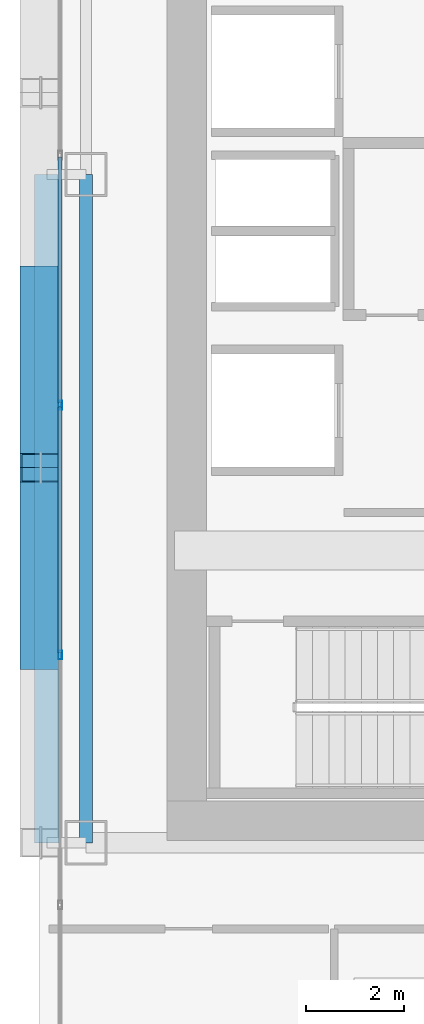
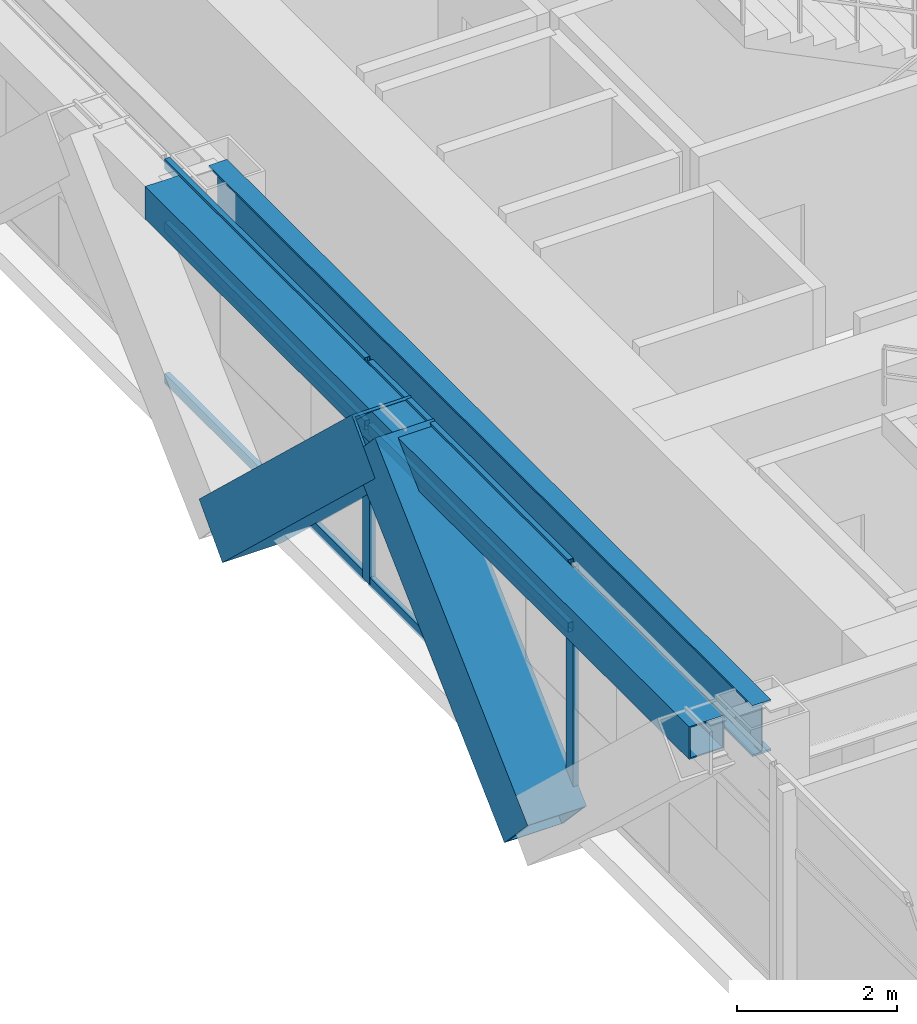
# One storey, part 6 of 38: 10 members, 2 beams, 1 element without a shape of its own.
"""IFC4 building model written with IfcOpenShell, lengths in metres."""

from ifc_helpers import new_model, si_unit, direction, frame, origin, origin_2d, place, context, subcontext, project, spatial, hollow_rectangle, i_section, extrude, source, transform, mapped, material, layer, layer_set, material_profile, profile_set, type_object, element, aggregate, save


model = new_model("IFC4")

# Units and contexts
model_context = context("Model", 3, precision=1e-05, world=origin(), true_north=direction((0.0, 1.0)))
body_context = subcontext(model_context, "Body", "Model", "MODEL_VIEW")
ifc_project = project(units=[si_unit("LENGTHUNIT", "METRE"), si_unit("AREAUNIT", "SQUARE_METRE"), si_unit("VOLUMEUNIT", "CUBIC_METRE"), si_unit("PLANEANGLEUNIT", "RADIAN"), si_unit("MASSUNIT", "GRAM", prefix="KILO")], contexts=[model_context])

# Site, building, storey
site_placement = place(None, origin())
site = spatial("IfcSite", under=ifc_project, at=site_placement, CompositionType="ELEMENT")
building_placement = place(site_placement, origin())
building = spatial("IfcBuilding", under=site, at=building_placement, Name="Ocotamira Hotel", CompositionType="ELEMENT")
storey_placement = place(building_placement, frame((0.0, 0.0, 45.60009765625)))
storey = spatial("IfcBuildingStorey", under=building, at=storey_placement, Name="L10", CompositionType="ELEMENT", Elevation=45.60009765625)

# Beams
ifc_material_1 = material(Name="Steel ASTM A992 Grade 50", Category="steel")
ifc_material_profile_1 = material_profile(ifc_material_1, i_section(OverallWidth=0.26611328125, OverallDepth=0.779052734375, WebThickness=0.0166015625, FlangeThickness=0.030029296875, FilletRadius=0.01806640625, at=origin_2d()), Name="W30X148")
ifc_profile_set_1 = profile_set([ifc_material_profile_1], Name="Steel ASTM A992 Grade 50")
beam_type_1 = type_object("IfcBeamType", Name="BM-GIRD-W30X148", PredefinedType="BEAM", material=ifc_profile_set_1)
shared_shape_1 = source(origin(), body_context, "Body", "SweptSolid", [
    extrude(i_section(OverallWidth=0.26611328125, OverallDepth=0.779052734375, WebThickness=0.0166015625, FlangeThickness=0.030029296875, FilletRadius=0.01806640625, at=origin_2d()), origin(), (0.0, 0.0, 1.0), 13.599853515625),
])
beam_1_placement = place(storey_placement, frame((8.949951171875, 14.550048828125, 2.96044921875), z_axis=(0.0, 1.0, 0.0), x_axis=(-1.0, 0.0, 0.0)))
element("IfcBeam", 1, at=beam_1_placement, inside=storey, type_object=beam_type_1, Name="L10 Beam X8.95 Y14.55-28.15", PredefinedType="BEAM", context=body_context, shape_type="MappedRepresentation", body=[
    mapped(shared_shape_1, transform((0.0, 0.0, 0.0), scale=1.0)),
])
ifc_material_2 = material(Name="Steel ASTM A500 Grade C", Category="steel")
ifc_material_profile_2 = material_profile(ifc_material_2, hollow_rectangle(XDim=0.5, YDim=0.5, WallThickness=0.02001953125, at=origin_2d()), Name="HSS500X500X20")
ifc_profile_set_2 = profile_set([ifc_material_profile_2], Name="Steel ASTM A500 Grade C")
beam_type_2 = type_object("IfcBeamType", Name="BM-SPAN-HSS500", PredefinedType="USERDEFINED", material=ifc_profile_set_2)
shared_shape_2 = source(origin(), body_context, "Body", "SweptSolid", [
    extrude(hollow_rectangle(XDim=0.5, YDim=0.5, WallThickness=0.02001953125, at=origin_2d()), origin(), (0.0, 0.0, 1.0), 13.599853515625),
])
beam_2_placement = place(storey_placement, frame((8.14990234375, 14.550048828125, 3.099853515625), z_axis=(0.0, 1.0, 0.0), x_axis=(-1.0, 0.0, 0.0)))
element("IfcBeam", 2, at=beam_2_placement, inside=storey, type_object=beam_type_2, Name="L10 Edge Spandrel W Y14.55-28.15", ObjectType="SPANDREL", PredefinedType="USERDEFINED", context=body_context, shape_type="MappedRepresentation", body=[
    mapped(shared_shape_2, transform((0.0, 0.0, 0.0), scale=1.0)),
])

# Members
ifc_material_3 = material(Name="Pale-metal coated steel ASTM A913 Grade 65", Category="steel")
ifc_material_profile_3 = material_profile(ifc_material_3, hollow_rectangle(XDim=0.85009765625, YDim=0.85009765625, WallThickness=0.035888671875, at=origin_2d()), Name="BOX850X850X36")
ifc_profile_set_3 = profile_set([ifc_material_profile_3], Name="Pale-metal coated steel ASTM A913 Grade 65")
member_type_1 = type_object("IfcMemberType", Name="MEM-EXO-BOX850", PredefinedType="BRACE", material=ifc_profile_set_3)
shared_shape_3 = source(origin(), body_context, "Body", "SweptSolid", [
    extrude(hollow_rectangle(XDim=0.85009765625, YDim=0.85009765625, WallThickness=0.035888671875, at=origin_2d()), origin(), (0.0, 0.0, 1.0), 5.24658203125),
])
for number, where, z_axis, x_axis, name in (
    (3, (8.030029296875, 18.36669921875, -0.5), (0.0, 0.72746596067, 0.686143772154), (-1.0, 0.0, 0.0), "L10 Exoskeleton Diagrid W0.2"),
    (4, (8.030029296875, 26.0, -0.5), (0.0, -0.72746596067, 0.686143772154), (1.0, 0.0, 0.0), "L10 Exoskeleton Diagrid W1.1"),
):
    element("IfcMember", number, at=place(storey_placement, frame(where, z_axis=z_axis, x_axis=x_axis)), inside=storey, type_object=member_type_1, Name=name, PredefinedType="BRACE", context=body_context, shape_type="MappedRepresentation", body=[
        mapped(shared_shape_3, transform((0.0, 0.0, 0.0), scale=1.0)),
    ])

# Curtain wall, members
ifc_material_4 = material(Name="Anodised pale-metal aluminium and solar glass", Category="aluminium")
ifc_layer = layer(ifc_material_4, 0.179931640625)
ifc_layer_set = layer_set([ifc_layer], Name="Anodised pale-metal aluminium and solar glass")
curtain_wall_type = type_object("IfcCurtainWallType", Name="CW-SYS2-Z1", PredefinedType="NOTDEFINED", material=ifc_layer_set)
curtain_wall_placement = place(storey_placement, origin())
curtain_wall = element("IfcCurtainWall", 5, at=curtain_wall_placement, inside=storey, type_object=curtain_wall_type, Name="L10 Curtain Wall CW-2 CW-L10-W", PredefinedType="NOTDEFINED")
ifc_material_5 = material(Name="Anodised pale-metal aluminium 6063-T6", Category="aluminium")
ifc_material_profile_4 = material_profile(ifc_material_5, hollow_rectangle(XDim=0.080078125, YDim=0.179931640625, WallThickness=0.006103515625, at=origin_2d()), Name="HSS180X80X6")
ifc_profile_set_4 = profile_set([ifc_material_profile_4], Name="Anodised pale-metal aluminium 6063-T6")
member_type_2 = type_object("IfcMemberType", Name="CWM-180X75", PredefinedType="MULLION", material=ifc_profile_set_4)
shared_shape_4 = source(origin(), body_context, "Body", "SweptSolid", [
    extrude(hollow_rectangle(XDim=0.080078125, YDim=0.179931640625, WallThickness=0.006103515625, at=origin_2d()), origin(), (0.0, 0.0, 1.0), 3.349853515625),
])
member_1_placement = place(storey_placement, frame((8.419921875, 18.371337890625, 0.0), z_axis=(0.0, 0.0, 1.0), x_axis=(-1.0, 0.0, 0.0)))
member_1 = element("IfcMember", 6, at=member_1_placement, type_object=member_type_2, Name="CW-2 mullion 3", PredefinedType="MULLION", context=body_context, shape_type="MappedRepresentation", body=[
    mapped(shared_shape_4, transform((0.0, 0.0, 0.0), scale=1.0)),
])
member_2_placement = place(storey_placement, frame((8.419921875, 23.45703125, 0.0), z_axis=(0.0, 0.0, 1.0), x_axis=(-1.0, 0.0, 0.0)))
member_2 = element("IfcMember", 7, at=member_2_placement, type_object=member_type_2, Name="CW-2 mullion 4", PredefinedType="MULLION", context=body_context, shape_type="MappedRepresentation", body=[
    mapped(shared_shape_4, transform((0.0, 0.0, 0.0), scale=1.0)),
])
ifc_material_profile_5 = material_profile(ifc_material_5, hollow_rectangle(XDim=0.074951171875, YDim=0.14990234375, WallThickness=0.006103515625, at=origin_2d()), Name="HSS150X75X6")
ifc_profile_set_5 = profile_set([ifc_material_profile_5], Name="Anodised pale-metal aluminium 6063-T6")
member_type_3 = type_object("IfcMemberType", Name="CWT-150X75", PredefinedType="USERDEFINED", material=ifc_profile_set_5)
shared_shape_5 = source(origin(), body_context, "Body", "SweptSolid", [
    extrude(hollow_rectangle(XDim=0.074951171875, YDim=0.14990234375, WallThickness=0.006103515625, at=origin_2d()), origin(), (0.0, 0.0, 1.0), 5.005859375),
])
member_3_placement = place(storey_placement, frame((8.419921875, 18.411376953125, 0.037353515625), z_axis=(0.0, 1.0, 0.0), x_axis=(-1.0, 0.0, 0.0)))
member_3 = element("IfcMember", 8, at=member_3_placement, type_object=member_type_3, Name="CW-2 transom 3.1", ObjectType="TRANSOM", PredefinedType="USERDEFINED", context=body_context, shape_type="MappedRepresentation", body=[
    mapped(shared_shape_5, transform((0.0, 0.0, 0.0), scale=1.0)),
])
member_4_placement = place(storey_placement, frame((8.419921875, 18.411376953125, 2.349853515625), z_axis=(0.0, 1.0, 0.0), x_axis=(-1.0, 0.0, 0.0)))
member_4 = element("IfcMember", 9, at=member_4_placement, type_object=member_type_3, Name="CW-2 transom 3.2", ObjectType="TRANSOM", PredefinedType="USERDEFINED", context=body_context, shape_type="MappedRepresentation", body=[
    mapped(shared_shape_5, transform((0.0, 0.0, 0.0), scale=1.0)),
])
member_5_placement = place(storey_placement, frame((8.419921875, 18.411376953125, 3.3125), z_axis=(0.0, 1.0, 0.0), x_axis=(-1.0, 0.0, 0.0)))
member_5 = element("IfcMember", 10, at=member_5_placement, type_object=member_type_3, Name="CW-2 transom 3.3", ObjectType="TRANSOM", PredefinedType="USERDEFINED", context=body_context, shape_type="MappedRepresentation", body=[
    mapped(shared_shape_5, transform((0.0, 0.0, 0.0), scale=1.0)),
])
member_6_placement = place(storey_placement, frame((8.419921875, 23.4970703125, 0.037353515625), z_axis=(0.0, 1.0, 0.0), x_axis=(-1.0, 0.0, 0.0)))
member_6 = element("IfcMember", 11, at=member_6_placement, type_object=member_type_3, Name="CW-2 transom 4.1", ObjectType="TRANSOM", PredefinedType="USERDEFINED", context=body_context, shape_type="MappedRepresentation", body=[
    mapped(shared_shape_5, transform((0.0, 0.0, 0.0), scale=1.0)),
])
member_7_placement = place(storey_placement, frame((8.419921875, 23.4970703125, 2.349853515625), z_axis=(0.0, 1.0, 0.0), x_axis=(-1.0, 0.0, 0.0)))
member_7 = element("IfcMember", 12, at=member_7_placement, type_object=member_type_3, Name="CW-2 transom 4.2", ObjectType="TRANSOM", PredefinedType="USERDEFINED", context=body_context, shape_type="MappedRepresentation", body=[
    mapped(shared_shape_5, transform((0.0, 0.0, 0.0), scale=1.0)),
])
member_8_placement = place(storey_placement, frame((8.419921875, 23.4970703125, 3.3125), z_axis=(0.0, 1.0, 0.0), x_axis=(-1.0, 0.0, 0.0)))
member_8 = element("IfcMember", 13, at=member_8_placement, type_object=member_type_3, Name="CW-2 transom 4.3", ObjectType="TRANSOM", PredefinedType="USERDEFINED", context=body_context, shape_type="MappedRepresentation", body=[
    mapped(shared_shape_5, transform((0.0, 0.0, 0.0), scale=1.0)),
])
aggregate(curtain_wall, [member_1, member_2, member_3, member_4, member_5, member_6, member_7, member_8])

save(model, "model.ifc")
